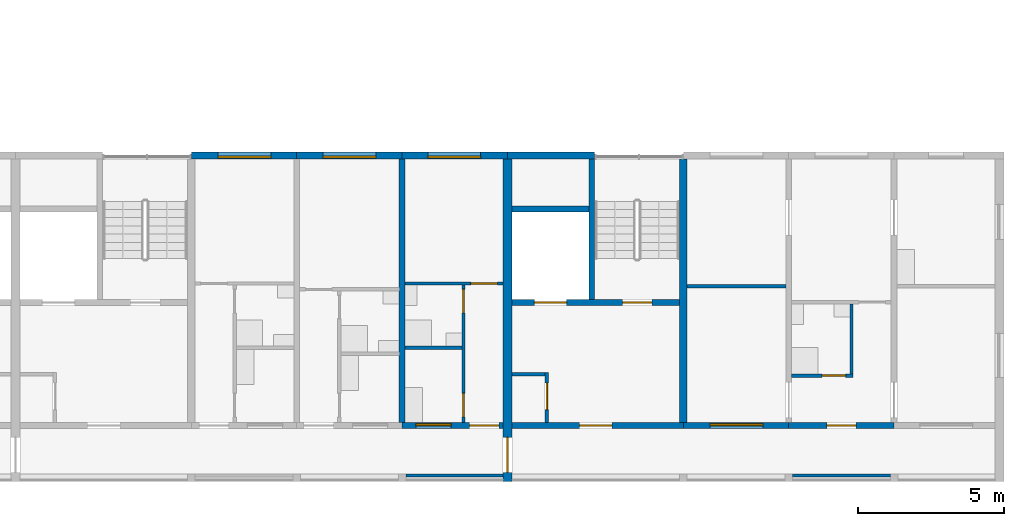
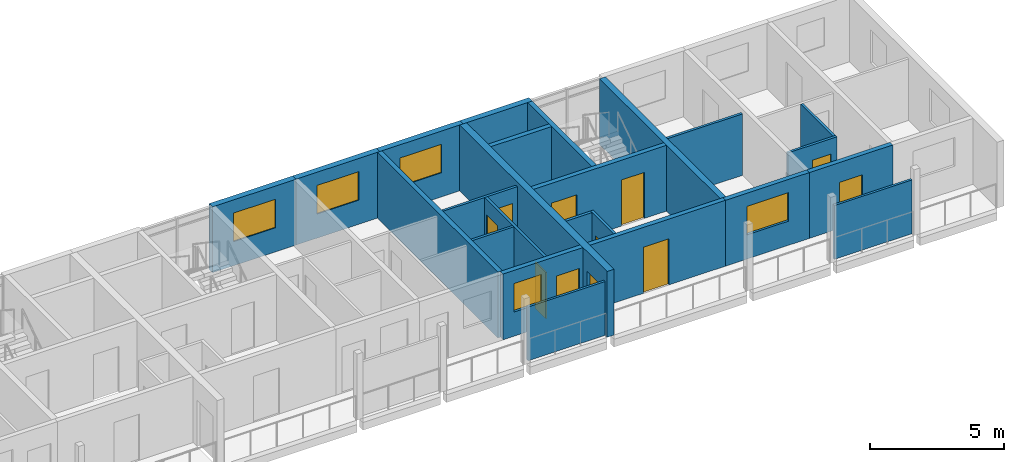
# One storey, part 47 of 78: 24 walls, 11 doors, 5 windows, 16 openings.
"""IFC4 building model written with IfcOpenShell, lengths in metres."""

from ifc_helpers import new_model, si_unit, direction, frame, frame_2d, origin, place, context, subcontext, project, spatial, rectangle, extrude, material, layer, layer_set, type_object, element, fill, save


model = new_model("IFC4")

# Units and contexts
model_context = context("Model", 3, precision=1e-05, world=origin(), true_north=direction((0.0, 1.0)))
body_context = subcontext(model_context, "Body", "Model", "MODEL_VIEW")
ifc_project = project(units=[si_unit("LENGTHUNIT", "METRE"), si_unit("AREAUNIT", "SQUARE_METRE"), si_unit("VOLUMEUNIT", "CUBIC_METRE"), si_unit("PLANEANGLEUNIT", "RADIAN"), si_unit("MASSUNIT", "GRAM", prefix="KILO")], contexts=[model_context])

# Site, building, storey
site_placement = place(None, origin())
site = spatial("IfcSite", under=ifc_project, at=site_placement, CompositionType="ELEMENT")
building_placement = place(site_placement, origin())
building = spatial("IfcBuilding", under=site, at=building_placement, Name="Ridgestep Commons", CompositionType="ELEMENT")
storey_placement = place(building_placement, frame((0.0, 0.0, 30.0)))
storey = spatial("IfcBuildingStorey", under=building, at=storey_placement, Name="L10", CompositionType="ELEMENT", Elevation=30.0)

# Wall
ifc_material_1 = material(Name="Concrete C30/37", Category="concrete")
ifc_layer_1 = layer(ifc_material_1, 0.25)
ifc_layer_set_1 = layer_set([ifc_layer_1], Name="Core cross wall 250")
wall_type_1 = type_object("IfcWallType", Name="Core cross wall 250", PredefinedType="SHEAR", material=ifc_layer_set_1)
wall_1_placement = place(storey_placement, frame((236.800048828125, 13.75, 0.0), z_axis=(0.0, 0.0, 1.0), x_axis=(0.0, 1.0, 0.0)))
element("IfcWall", 1, at=wall_1_placement, inside=storey, type_object=wall_type_1, Name="Cross wall D-10-2368", PredefinedType="SHEAR", context=body_context, shape_type="SweptSolid", body=[
    extrude(rectangle(XDim=9.0, YDim=0.25, at=frame_2d((4.5, 0.0))), origin(), (0.0, 0.0, 1.0), 3.0),
])

# Wall, opening, door
ifc_material_2 = material(Name="Concrete C30/37", Category="concrete")
ifc_layer_2 = layer(ifc_material_2, 0.199951171875)
ifc_layer_set_2 = layer_set([ifc_layer_2], Name="Core south wall 200")
wall_type_2 = type_object("IfcWallType", Name="Core south wall 200", PredefinedType="SHEAR", material=ifc_layer_set_2)
wall_2_placement = place(storey_placement, frame((230.949951171875, 13.64990234375, 0.0), z_axis=(0.0, 0.0, 1.0), x_axis=(1.0, 0.0, 0.0)))
wall_2 = element("IfcWall", 2, at=wall_2_placement, inside=storey, type_object=wall_type_2, Name="Core south wall D6C L10", PredefinedType="SHEAR", context=body_context, shape_type="SweptSolid", body=[
    extrude(rectangle(XDim=5.85009765625, YDim=0.199951171875, at=frame_2d((2.925048828125, 0.0))), origin(), (0.0, 0.0, 1.0), 3.0),
])
opening_1_placement = place(wall_2_placement, frame((2.3125, 0.0, 0.0)))
opening_1 = element("IfcOpeningElement", 3, at=opening_1_placement, cuts=wall_2, Name="Opening D6C/10/1", PredefinedType="OPENING", context=body_context, shape_type="SweptSolid", body=[
    extrude(rectangle(XDim=1.10009765625, YDim=2.10009765625, at=frame_2d((0.550048828125, 1.050048828125))), frame((0.0, 0.10986328125, 0.0), z_axis=(0.0, -1.0, 0.0), x_axis=(1.0, 0.0, 0.0)), (0.0, 0.0, 1.0), 0.219970703125),
])
ifc_material_3 = material(Name="Steel fire door", Category="steel")
door_type_1 = type_object("IfcDoorType", Name="Lobby door 1100 x 2100 FD60", OperationType="NOTDEFINED", PredefinedType="DOOR", material=ifc_material_3)
door_1_placement = place(opening_1_placement, origin())
door_1 = element("IfcDoor", 4, at=door_1_placement, inside=storey, type_object=door_type_1, Name="Lobby door D6C/10/1", OperationType="SINGLE_SWING_LEFT", OverallHeight=2.10009765625, OverallWidth=1.10009765625, PredefinedType="DOOR", context=body_context, shape_type="SweptSolid", body=[
    extrude(rectangle(XDim=1.10009765625, YDim=2.10009765625, at=frame_2d((0.550048828125, 1.050048828125))), frame((0.0, 0.02490234375, 0.0), z_axis=(0.0, -1.0, 0.0), x_axis=(1.0, 0.0, 0.0)), (0.0, 0.0, 1.0), 0.050048828125),
])
fill(opening_1, door_1)

ifc_material_4 = material(Name="Concrete C30/37", Category="concrete")
ifc_layer_3 = layer(ifc_material_4, 0.1201171875)
ifc_layer_set_3 = layer_set([ifc_layer_3], Name="Core wall 120")
wall_type_3 = type_object("IfcWallType", Name="Core wall 120", PredefinedType="SHEAR", material=ifc_layer_set_3)
wall_3_placement = place(storey_placement, frame((232.139892578125, 13.75, 0.0), z_axis=(0.0, 0.0, 1.0), x_axis=(0.0, 1.0, 0.0)))
wall_3 = element("IfcWall", 5, at=wall_3_placement, inside=storey, type_object=wall_type_3, Name="Core riser w wall D6C L10", PredefinedType="SHEAR", context=body_context, shape_type="SweptSolid", body=[
    extrude(rectangle(XDim=1.719970703125, YDim=0.1201171875, at=frame_2d((0.85986328125, 0.0))), origin(), (0.0, 0.0, 1.0), 3.0),
])
opening_2_placement = place(wall_3_placement, frame((0.449951171875, 0.0, 0.0)))
opening_2 = element("IfcOpeningElement", 6, at=opening_2_placement, cuts=wall_3, Name="Opening D6C/10/4", PredefinedType="OPENING", context=body_context, shape_type="SweptSolid", body=[
    extrude(rectangle(XDim=0.89990234375, YDim=2.10009765625, at=frame_2d((0.449951171875, 1.050048828125))), frame((0.0, 0.070068359375, 0.0), z_axis=(0.0, -1.0, 0.0), x_axis=(1.0, 0.0, 0.0)), (0.0, 0.0, 1.0), 0.14013671875),
])
ifc_material_5 = material(Name="Steel fire door", Category="steel")
door_type_2 = type_object("IfcDoorType", Name="Riser door 900 x 2100 FD60", OperationType="NOTDEFINED", PredefinedType="DOOR", material=ifc_material_5)
door_2_placement = place(opening_2_placement, origin())
door_2 = element("IfcDoor", 7, at=door_2_placement, inside=storey, type_object=door_type_2, Name="Riser door D6C/10/4", OperationType="SINGLE_SWING_RIGHT", OverallHeight=2.10009765625, OverallWidth=0.89990234375, PredefinedType="DOOR", context=body_context, shape_type="SweptSolid", body=[
    extrude(rectangle(XDim=0.89990234375, YDim=2.10009765625, at=frame_2d((0.449951171875, 1.050048828125))), frame((0.0, 0.02490234375, 0.0), z_axis=(0.0, -1.0, 0.0), x_axis=(1.0, 0.0, 0.0)), (0.0, 0.0, 1.0), 0.050048828125),
])
fill(opening_2, door_2)

# Wall
wall_4_placement = place(storey_placement, frame((230.949951171875, 15.409912109375, 0.0), z_axis=(0.0, 0.0, 1.0), x_axis=(1.0, 0.0, 0.0)))
element("IfcWall", 8, at=wall_4_placement, inside=storey, type_object=wall_type_3, Name="Core riser n wall D6C L10", PredefinedType="SHEAR", context=body_context, shape_type="SweptSolid", body=[
    extrude(rectangle(XDim=1.130126953125, YDim=0.1201171875, at=frame_2d((0.56494140625, 0.0))), origin(), (0.0, 0.0, 1.0), 3.0),
])

# Wall, openings, doors
ifc_material_6 = material(Name="Concrete C30/37", Category="concrete")
ifc_layer_4 = layer(ifc_material_6, 0.199951171875)
ifc_layer_set_4 = layer_set([ifc_layer_4], Name="Core wall 200")
wall_type_4 = type_object("IfcWallType", Name="Core wall 200", PredefinedType="SHEAR", material=ifc_layer_set_4)
wall_5_placement = place(storey_placement, frame((230.949951171875, 17.85009765625, 0.0), z_axis=(0.0, 0.0, 1.0), x_axis=(1.0, 0.0, 0.0)))
wall_5 = element("IfcWall", 9, at=wall_5_placement, inside=storey, type_object=wall_type_4, Name="Core lobby wall D6C L10", PredefinedType="SHEAR", context=body_context, shape_type="SweptSolid", body=[
    extrude(rectangle(XDim=5.72509765625, YDim=0.199951171875, at=frame_2d((2.862548828125, 0.0))), origin(), (0.0, 0.0, 1.0), 3.0),
])
opening_3_placement = place(wall_5_placement, frame((3.77490234375, 0.0, 0.0)))
opening_3 = element("IfcOpeningElement", 10, at=opening_3_placement, cuts=wall_5, Name="Opening D6C/10/2", PredefinedType="OPENING", context=body_context, shape_type="SweptSolid", body=[
    extrude(rectangle(XDim=1.0, YDim=2.10009765625, at=frame_2d((0.5, 1.050048828125))), frame((0.0, 0.10986328125, 0.0), z_axis=(0.0, -1.0, 0.0), x_axis=(1.0, 0.0, 0.0)), (0.0, 0.0, 1.0), 0.219970703125),
])
opening_4_placement = place(wall_5_placement, frame((0.762451171875, 0.0, 0.0)))
opening_4 = element("IfcOpeningElement", 11, at=opening_4_placement, cuts=wall_5, Name="Opening D6C/10/3", PredefinedType="OPENING", context=body_context, shape_type="SweptSolid", body=[
    extrude(rectangle(XDim=1.10009765625, YDim=2.10009765625, at=frame_2d((0.550048828125, 1.050048828125))), frame((0.0, 0.10986328125, 0.0), z_axis=(0.0, -1.0, 0.0), x_axis=(1.0, 0.0, 0.0)), (0.0, 0.0, 1.0), 0.219970703125),
])
ifc_material_7 = material(Name="Stainless steel", Category="steel")
door_type_3 = type_object("IfcDoorType", Name="Lift landing door 1100 x 2100 FD60", OperationType="DOUBLE_DOOR_SLIDING", PredefinedType="DOOR", material=ifc_material_7)
door_3_placement = place(opening_4_placement, origin())
door_3 = element("IfcDoor", 12, at=door_3_placement, inside=storey, type_object=door_type_3, Name="Landing door LD D6C L10", OperationType="DOUBLE_DOOR_SLIDING", OverallHeight=2.10009765625, OverallWidth=1.10009765625, PredefinedType="DOOR", context=body_context, shape_type="SweptSolid", body=[
    extrude(rectangle(XDim=1.10009765625, YDim=2.10009765625, at=frame_2d((0.550048828125, 1.050048828125))), frame((0.0, 0.02490234375, 0.0), z_axis=(0.0, -1.0, 0.0), x_axis=(1.0, 0.0, 0.0)), (0.0, 0.0, 1.0), 0.050048828125),
])
fill(opening_4, door_3)
ifc_material_8 = material(Name="Steel fire door", Category="steel")
door_type_4 = type_object("IfcDoorType", Name="Stair door 1000 x 2100 FD60", OperationType="NOTDEFINED", PredefinedType="DOOR", material=ifc_material_8)
door_4_placement = place(opening_3_placement, origin())
door_4 = element("IfcDoor", 13, at=door_4_placement, inside=storey, type_object=door_type_4, Name="Stair door D6C/10/2", OperationType="SINGLE_SWING_RIGHT", OverallHeight=2.10009765625, OverallWidth=1.0, PredefinedType="DOOR", context=body_context, shape_type="SweptSolid", body=[
    extrude(rectangle(XDim=1.0, YDim=2.10009765625, at=frame_2d((0.5, 1.050048828125))), frame((0.0, 0.02490234375, 0.0), z_axis=(0.0, -1.0, 0.0), x_axis=(1.0, 0.0, 0.0)), (0.0, 0.0, 1.0), 0.050048828125),
])
fill(opening_3, door_4)

# Walls
wall_6_placement = place(storey_placement, frame((233.675048828125, 17.949951171875, 0.0), z_axis=(0.0, 0.0, 1.0), x_axis=(0.0, 1.0, 0.0)))
element("IfcWall", 14, at=wall_6_placement, inside=storey, type_object=wall_type_4, Name="Core stair wall D6C L10", PredefinedType="SHEAR", context=body_context, shape_type="SweptSolid", body=[
    extrude(rectangle(XDim=4.800048828125, YDim=0.199951171875, at=frame_2d((2.39990234375, 0.0))), origin(), (0.0, 0.0, 1.0), 3.0),
])
wall_7_placement = place(storey_placement, frame((230.949951171875, 21.050048828125, 0.0), z_axis=(0.0, 0.0, 1.0), x_axis=(1.0, 0.0, 0.0)))
element("IfcWall", 15, at=wall_7_placement, inside=storey, type_object=wall_type_4, Name="Core duct wall D6C L10", PredefinedType="SHEAR", context=body_context, shape_type="SweptSolid", body=[
    extrude(rectangle(XDim=2.625, YDim=0.199951171875, at=frame_2d((1.3125, 0.0))), origin(), (0.0, 0.0, 1.0), 3.0),
])
ifc_material_9 = material(Name="Precast concrete C40/50", Category="concrete")
ifc_layer_5 = layer(ifc_material_9, 0.199951171875)
ifc_layer_set_5 = layer_set([ifc_layer_5], Name="Cross wall 200")
wall_type_5 = type_object("IfcWallType", Name="Cross wall 200", PredefinedType="SHEAR", material=ifc_layer_set_5)
wall_8_placement = place(storey_placement, frame((227.199951171875, 13.75, 0.0), z_axis=(0.0, 0.0, 1.0), x_axis=(0.0, 1.0, 0.0)))
element("IfcWall", 16, at=wall_8_placement, inside=storey, type_object=wall_type_5, Name="Cross wall D-10-2272", PredefinedType="SHEAR", context=body_context, shape_type="SweptSolid", body=[
    extrude(rectangle(XDim=9.0, YDim=0.199951171875, at=frame_2d((4.5, 0.0))), origin(), (0.0, 0.0, 1.0), 3.0),
])

# Wall, opening, door
ifc_material_10 = material(Name="Precast concrete C40/50", Category="concrete")
ifc_layer_6 = layer(ifc_material_10, 0.300048828125)
ifc_layer_set_6 = layer_set([ifc_layer_6], Name="Division wall 300")
wall_type_6 = type_object("IfcWallType", Name="Division wall 300", PredefinedType="SHEAR", material=ifc_layer_set_6)
wall_9_placement = place(storey_placement, frame((230.800048828125, 11.75, 0.0), z_axis=(0.0, 0.0, 1.0), x_axis=(0.0, 1.0, 0.0)))
wall_9 = element("IfcWall", 17, at=wall_9_placement, inside=storey, type_object=wall_type_6, Name="Cross wall D-10-2308", PredefinedType="SHEAR", context=body_context, shape_type="SweptSolid", body=[
    extrude(rectangle(XDim=11.0, YDim=0.300048828125, at=frame_2d((5.5, 0.0))), origin(), (0.0, 0.0, 1.0), 3.0),
])
opening_5_placement = place(wall_9_placement, frame((0.300048828125, 0.0, 0.0)))
opening_5 = element("IfcOpeningElement", 18, at=opening_5_placement, cuts=wall_9, Name="Opening D/10/G2308", PredefinedType="OPENING", context=body_context, shape_type="SweptSolid", body=[
    extrude(rectangle(XDim=1.199951171875, YDim=2.10009765625, at=frame_2d((0.60009765625, 1.050048828125))), frame((0.0, 0.159912109375, 0.0), z_axis=(0.0, -1.0, 0.0), x_axis=(1.0, 0.0, 0.0)), (0.0, 0.0, 1.0), 0.320068359375),
])
ifc_material_11 = material(Name="Steel fire door", Category="steel")
door_type_5 = type_object("IfcDoorType", Name="Division fire door 1200 x 2100 EI 240", OperationType="DOUBLE_DOOR_SINGLE_SWING", PredefinedType="DOOR", material=ifc_material_11)
door_5_placement = place(opening_5_placement, origin())
door_5 = element("IfcDoor", 19, at=door_5_placement, inside=storey, type_object=door_type_5, Name="Division fire door D/10/G2308", OperationType="DOUBLE_DOOR_SINGLE_SWING", OverallHeight=2.10009765625, OverallWidth=1.199951171875, PredefinedType="DOOR", context=body_context, shape_type="SweptSolid", body=[
    extrude(rectangle(XDim=1.199951171875, YDim=2.10009765625, at=frame_2d((0.60009765625, 1.050048828125))), frame((0.0, 0.02490234375, 0.0), z_axis=(0.0, -1.0, 0.0), x_axis=(1.0, 0.0, 0.0)), (0.0, 0.0, 1.0), 0.050048828125),
])
fill(opening_5, door_5)

# Wall, opening, window
ifc_material_12 = material(Name="Precast concrete C40/50", Category="concrete")
ifc_layer_7 = layer(ifc_material_12, 0.25)
ifc_layer_set_7 = layer_set([ifc_layer_7], Name="North facade panel 250")
wall_type_7 = type_object("IfcWallType", Name="North facade panel 250", PredefinedType="SOLIDWALL", material=ifc_layer_set_7)
wall_10_placement = place(storey_placement, frame((220.0, 22.875, 0.0), z_axis=(0.0, 0.0, 1.0), x_axis=(1.0, 0.0, 0.0)))
wall_10 = element("IfcWall", 20, at=wall_10_placement, inside=storey, type_object=wall_type_7, Name="North panel D5T3 L10", PredefinedType="SOLIDWALL", context=body_context, shape_type="SweptSolid", body=[
    extrude(rectangle(XDim=3.60009765625, YDim=0.25, at=frame_2d((1.800048828125, 0.0))), origin(), (0.0, 0.0, 1.0), 3.0),
])
opening_6_placement = place(wall_10_placement, frame((0.91259765625, 0.0, 1.10009765625)))
opening_6 = element("IfcOpeningElement", 21, at=opening_6_placement, cuts=wall_10, Name="Opening W18", PredefinedType="OPENING", context=body_context, shape_type="SweptSolid", body=[
    extrude(rectangle(XDim=1.800048828125, YDim=1.300048828125, at=frame_2d((0.89990234375, 0.64990234375))), frame((0.0, 0.135009765625, 0.0), z_axis=(0.0, -1.0, 0.0), x_axis=(1.0, 0.0, 0.0)), (0.0, 0.0, 1.0), 0.27001953125),
])
ifc_material_13 = material(Name="Aluminium 6063-T6 and glass", Category="aluminium")
window_type_1 = type_object("IfcWindowType", Name="Flat window 1800 x 1300", PartitioningType="DOUBLE_PANEL_VERTICAL", PredefinedType="WINDOW", material=ifc_material_13)
window_1_placement = place(opening_6_placement, origin())
window_1 = element("IfcWindow", 22, at=window_1_placement, inside=storey, type_object=window_type_1, Name="Window D5-10c 2", OverallHeight=1.300048828125, OverallWidth=1.800048828125, PartitioningType="SINGLE_PANEL", PredefinedType="WINDOW", context=body_context, shape_type="SweptSolid", body=[
    extrude(rectangle(XDim=1.800048828125, YDim=1.300048828125, at=frame_2d((0.89990234375, 0.64990234375))), frame((0.0, -0.02490234375, 0.0), z_axis=(0.0, -1.0, 0.0), x_axis=(1.0, 0.0, 0.0)), (0.0, 0.0, 1.0), 0.06005859375),
])
fill(opening_6, window_1)

wall_11_placement = place(storey_placement, frame((223.60009765625, 22.875, 0.0), z_axis=(0.0, 0.0, 1.0), x_axis=(1.0, 0.0, 0.0)))
wall_11 = element("IfcWall", 23, at=wall_11_placement, inside=storey, type_object=wall_type_7, Name="North panel D5T2 L10", PredefinedType="SOLIDWALL", context=body_context, shape_type="SweptSolid", body=[
    extrude(rectangle(XDim=3.599853515625, YDim=0.25, at=frame_2d((1.7998046875, 0.0))), origin(), (0.0, 0.0, 1.0), 3.0),
])
opening_7_placement = place(wall_11_placement, frame((0.89990234375, 0.0, 1.10009765625)))
opening_7 = element("IfcOpeningElement", 24, at=opening_7_placement, cuts=wall_11, Name="Opening W18", PredefinedType="OPENING", context=body_context, shape_type="SweptSolid", body=[
    extrude(rectangle(XDim=1.800048828125, YDim=1.300048828125, at=frame_2d((0.89990234375, 0.64990234375))), frame((0.0, 0.135009765625, 0.0), z_axis=(0.0, -1.0, 0.0), x_axis=(1.0, 0.0, 0.0)), (0.0, 0.0, 1.0), 0.27001953125),
])
window_2_placement = place(opening_7_placement, origin())
window_2 = element("IfcWindow", 25, at=window_2_placement, inside=storey, type_object=window_type_1, Name="Window D5-10b 2", OverallHeight=1.300048828125, OverallWidth=1.800048828125, PartitioningType="SINGLE_PANEL", PredefinedType="WINDOW", context=body_context, shape_type="SweptSolid", body=[
    extrude(rectangle(XDim=1.800048828125, YDim=1.300048828125, at=frame_2d((0.89990234375, 0.64990234375))), frame((0.0, -0.02490234375, 0.0), z_axis=(0.0, -1.0, 0.0), x_axis=(1.0, 0.0, 0.0)), (0.0, 0.0, 1.0), 0.06005859375),
])
fill(opening_7, window_2)

wall_12_placement = place(storey_placement, frame((227.199951171875, 22.875, 0.0), z_axis=(0.0, 0.0, 1.0), x_axis=(1.0, 0.0, 0.0)))
wall_12 = element("IfcWall", 26, at=wall_12_placement, inside=storey, type_object=wall_type_7, Name="North panel D5T1 L10", PredefinedType="SOLIDWALL", context=body_context, shape_type="SweptSolid", body=[
    extrude(rectangle(XDim=3.60009765625, YDim=0.25, at=frame_2d((1.800048828125, 0.0))), origin(), (0.0, 0.0, 1.0), 3.0),
])
opening_8_placement = place(wall_12_placement, frame((0.875, 0.0, 1.10009765625)))
opening_8 = element("IfcOpeningElement", 27, at=opening_8_placement, cuts=wall_12, Name="Opening W18", PredefinedType="OPENING", context=body_context, shape_type="SweptSolid", body=[
    extrude(rectangle(XDim=1.800048828125, YDim=1.300048828125, at=frame_2d((0.89990234375, 0.64990234375))), frame((0.0, 0.135009765625, 0.0), z_axis=(0.0, -1.0, 0.0), x_axis=(1.0, 0.0, 0.0)), (0.0, 0.0, 1.0), 0.27001953125),
])
window_3_placement = place(opening_8_placement, origin())
window_3 = element("IfcWindow", 28, at=window_3_placement, inside=storey, type_object=window_type_1, Name="Window D5-10a 2", OverallHeight=1.300048828125, OverallWidth=1.800048828125, PartitioningType="SINGLE_PANEL", PredefinedType="WINDOW", context=body_context, shape_type="SweptSolid", body=[
    extrude(rectangle(XDim=1.800048828125, YDim=1.300048828125, at=frame_2d((0.89990234375, 0.64990234375))), frame((0.0, -0.02490234375, 0.0), z_axis=(0.0, -1.0, 0.0), x_axis=(1.0, 0.0, 0.0)), (0.0, 0.0, 1.0), 0.06005859375),
])
fill(opening_8, window_3)

# Walls
wall_13_placement = place(storey_placement, frame((230.800048828125, 22.875, 0.0), z_axis=(0.0, 0.0, 1.0), x_axis=(1.0, 0.0, 0.0)))
element("IfcWall", 29, at=wall_13_placement, inside=storey, type_object=wall_type_7, Name="North panel D6C L10", PredefinedType="SOLIDWALL", context=body_context, shape_type="SweptSolid", body=[
    extrude(rectangle(XDim=2.974853515625, YDim=0.25, at=frame_2d((1.4873046875, 0.0))), origin(), (0.0, 0.0, 1.0), 3.0),
])
ifc_material_14 = material(Name="Common brick 110 mm", Category="masonry")
ifc_layer_8 = layer(ifc_material_14, 0.110107421875)
ifc_layer_set_8 = layer_set([ifc_layer_8], Name="Partition 110")
wall_type_8 = type_object("IfcWallType", Name="Partition 110", PredefinedType="PARTITIONING", material=ifc_layer_set_8)
wall_14_placement = place(storey_placement, frame((227.300048828125, 16.304931640625, 0.0), z_axis=(0.0, 0.0, 1.0), x_axis=(1.0, 0.0, 0.0)))
element("IfcWall", 30, at=wall_14_placement, inside=storey, type_object=wall_type_8, Name="Partition D5-10a", PredefinedType="PARTITIONING", context=body_context, shape_type="SweptSolid", body=[
    extrude(rectangle(XDim=1.93994140625, YDim=0.110107421875, at=frame_2d((0.969970703125, 0.0))), origin(), (0.0, 0.0, 1.0), 2.800048828125),
])

# Wall, openings, doors
wall_15_placement = place(storey_placement, frame((229.294921875, 13.75, 0.0), z_axis=(0.0, 0.0, 1.0), x_axis=(0.0, 1.0, 0.0)))
wall_15 = element("IfcWall", 31, at=wall_15_placement, inside=storey, type_object=wall_type_8, Name="Partition D5-10a", PredefinedType="PARTITIONING", context=body_context, shape_type="SweptSolid", body=[
    extrude(rectangle(XDim=4.699951171875, YDim=0.110107421875, at=frame_2d((2.35009765625, 0.0))), origin(), (0.0, 0.0, 1.0), 2.800048828125),
])
opening_9_placement = place(wall_15_placement, frame((0.199951171875, 0.0, 0.0)))
opening_9 = element("IfcOpeningElement", 32, at=opening_9_placement, cuts=wall_15, Name="Opening D5-10a/2", PredefinedType="OPENING", context=body_context, shape_type="SweptSolid", body=[
    extrude(rectangle(XDim=0.800048828125, YDim=2.10009765625, at=frame_2d((0.39990234375, 1.050048828125))), frame((0.0, 0.06494140625, 0.0), z_axis=(0.0, -1.0, 0.0), x_axis=(1.0, 0.0, 0.0)), (0.0, 0.0, 1.0), 0.130126953125),
])
opening_10_placement = place(wall_15_placement, frame((3.75, 0.0, 0.0)))
opening_10 = element("IfcOpeningElement", 33, at=opening_10_placement, cuts=wall_15, Name="Opening D5-10a/3", PredefinedType="OPENING", context=body_context, shape_type="SweptSolid", body=[
    extrude(rectangle(XDim=0.800048828125, YDim=2.10009765625, at=frame_2d((0.39990234375, 1.050048828125))), frame((0.0, 0.06494140625, 0.0), z_axis=(0.0, -1.0, 0.0), x_axis=(1.0, 0.0, 0.0)), (0.0, 0.0, 1.0), 0.130126953125),
])
ifc_material_15 = material(Name="Timber door leaf", Category="wood")
door_type_6 = type_object("IfcDoorType", Name="Internal door 800 x 2100", OperationType="NOTDEFINED", PredefinedType="DOOR", material=ifc_material_15)
door_6_placement = place(opening_9_placement, origin())
door_6 = element("IfcDoor", 34, at=door_6_placement, inside=storey, type_object=door_type_6, Name="Internal door D5-10a/2", OperationType="SINGLE_SWING_LEFT", OverallHeight=2.10009765625, OverallWidth=0.800048828125, PredefinedType="DOOR", context=body_context, shape_type="SweptSolid", body=[
    extrude(rectangle(XDim=0.800048828125, YDim=2.10009765625, at=frame_2d((0.39990234375, 1.050048828125))), frame((0.0, 0.02490234375, 0.0), z_axis=(0.0, -1.0, 0.0), x_axis=(1.0, 0.0, 0.0)), (0.0, 0.0, 1.0), 0.050048828125),
])
fill(opening_9, door_6)
door_7_placement = place(opening_10_placement, origin())
door_7 = element("IfcDoor", 35, at=door_7_placement, inside=storey, type_object=door_type_6, Name="Internal door D5-10a/3", OperationType="SINGLE_SWING_RIGHT", OverallHeight=2.10009765625, OverallWidth=0.800048828125, PredefinedType="DOOR", context=body_context, shape_type="SweptSolid", body=[
    extrude(rectangle(XDim=0.800048828125, YDim=2.10009765625, at=frame_2d((0.39990234375, 1.050048828125))), frame((0.0, 0.02490234375, 0.0), z_axis=(0.0, -1.0, 0.0), x_axis=(1.0, 0.0, 0.0)), (0.0, 0.0, 1.0), 0.050048828125),
])
fill(opening_10, door_7)

# Wall, opening, door
wall_16_placement = place(storey_placement, frame((227.300048828125, 18.5048828125, 0.0), z_axis=(0.0, 0.0, 1.0), x_axis=(1.0, 0.0, 0.0)))
wall_16 = element("IfcWall", 36, at=wall_16_placement, inside=storey, type_object=wall_type_8, Name="Partition D5-10a", PredefinedType="PARTITIONING", context=body_context, shape_type="SweptSolid", body=[
    extrude(rectangle(XDim=3.349853515625, YDim=0.110107421875, at=frame_2d((1.6748046875, 0.0))), origin(), (0.0, 0.0, 1.0), 2.800048828125),
])
opening_11_placement = place(wall_16_placement, frame((2.25, 0.0, 0.0)))
opening_11 = element("IfcOpeningElement", 37, at=opening_11_placement, cuts=wall_16, Name="Opening D5-10a/4", PredefinedType="OPENING", context=body_context, shape_type="SweptSolid", body=[
    extrude(rectangle(XDim=0.89990234375, YDim=2.10009765625, at=frame_2d((0.449951171875, 1.050048828125))), frame((0.0, 0.06494140625, 0.0), z_axis=(0.0, -1.0, 0.0), x_axis=(1.0, 0.0, 0.0)), (0.0, 0.0, 1.0), 0.130126953125),
])
ifc_material_16 = material(Name="Timber door leaf", Category="wood")
door_type_7 = type_object("IfcDoorType", Name="Internal door 900 x 2100", OperationType="NOTDEFINED", PredefinedType="DOOR", material=ifc_material_16)
door_8_placement = place(opening_11_placement, origin())
door_8 = element("IfcDoor", 38, at=door_8_placement, inside=storey, type_object=door_type_7, Name="Internal door D5-10a/4", OperationType="SINGLE_SWING_LEFT", OverallHeight=2.10009765625, OverallWidth=0.89990234375, PredefinedType="DOOR", context=body_context, shape_type="SweptSolid", body=[
    extrude(rectangle(XDim=0.89990234375, YDim=2.10009765625, at=frame_2d((0.449951171875, 1.050048828125))), frame((0.0, 0.02490234375, 0.0), z_axis=(0.0, -1.0, 0.0), x_axis=(1.0, 0.0, 0.0)), (0.0, 0.0, 1.0), 0.050048828125),
])
fill(opening_11, door_8)

wall_17_placement = place(storey_placement, frame((240.5, 15.35498046875, 0.0), z_axis=(0.0, 0.0, 1.0), x_axis=(1.0, 0.0, 0.0)))
wall_17 = element("IfcWall", 39, at=wall_17_placement, inside=storey, type_object=wall_type_8, Name="Partition D6-10a", PredefinedType="PARTITIONING", context=body_context, shape_type="SweptSolid", body=[
    extrude(rectangle(XDim=2.10009765625, YDim=0.110107421875, at=frame_2d((1.050048828125, 0.0))), origin(), (0.0, 0.0, 1.0), 2.800048828125),
])
opening_12_placement = place(wall_17_placement, frame((1.0400390625, 0.0, 0.0)))
opening_12 = element("IfcOpeningElement", 40, at=opening_12_placement, cuts=wall_17, Name="Opening D6-10a/2", PredefinedType="OPENING", context=body_context, shape_type="SweptSolid", body=[
    extrude(rectangle(XDim=0.800048828125, YDim=2.10009765625, at=frame_2d((0.39990234375, 1.050048828125))), frame((0.0, 0.06494140625, 0.0), z_axis=(0.0, -1.0, 0.0), x_axis=(1.0, 0.0, 0.0)), (0.0, 0.0, 1.0), 0.130126953125),
])
door_9_placement = place(opening_12_placement, origin())
door_9 = element("IfcDoor", 41, at=door_9_placement, inside=storey, type_object=door_type_6, Name="Internal door D6-10a/2", OperationType="SINGLE_SWING_RIGHT", OverallHeight=2.10009765625, OverallWidth=0.800048828125, PredefinedType="DOOR", context=body_context, shape_type="SweptSolid", body=[
    extrude(rectangle(XDim=0.800048828125, YDim=2.10009765625, at=frame_2d((0.39990234375, 1.050048828125))), frame((0.0, 0.02490234375, 0.0), z_axis=(0.0, -1.0, 0.0), x_axis=(1.0, 0.0, 0.0)), (0.0, 0.0, 1.0), 0.050048828125),
])
fill(opening_12, door_9)

# Walls
wall_18_placement = place(storey_placement, frame((242.544921875, 15.409912109375, 0.0), z_axis=(0.0, 0.0, 1.0), x_axis=(0.0, 1.0, 0.0)))
element("IfcWall", 42, at=wall_18_placement, inside=storey, type_object=wall_type_8, Name="Partition D6-10a", PredefinedType="PARTITIONING", context=body_context, shape_type="SweptSolid", body=[
    extrude(rectangle(XDim=2.400146484375, YDim=0.110107421875, at=frame_2d((1.2001953125, 0.0))), origin(), (0.0, 0.0, 1.0), 2.800048828125),
])
wall_19_placement = place(storey_placement, frame((236.925048828125, 18.405029296875, 0.0), z_axis=(0.0, 0.0, 1.0), x_axis=(1.0, 0.0, 0.0)))
element("IfcWall", 43, at=wall_19_placement, inside=storey, type_object=wall_type_8, Name="Partition D6-10a", PredefinedType="PARTITIONING", context=body_context, shape_type="SweptSolid", body=[
    extrude(rectangle(XDim=3.375, YDim=0.110107421875, at=frame_2d((1.6875, 0.0))), origin(), (0.0, 0.0, 1.0), 2.800048828125),
])
ifc_material_17 = material(Name="Precast concrete C30/37", Category="concrete")
ifc_layer_9 = layer(ifc_material_17, 0.10009765625)
ifc_layer_set_9 = layer_set([ifc_layer_9], Name="Perforated gallery screen 3325 x 2450 x 100")
wall_type_9 = type_object("IfcWallType", Name="Perforated gallery screen 3325 x 2450 x 100", PredefinedType="SOLIDWALL", material=ifc_layer_set_9)
wall_20_placement = place(storey_placement, frame((227.324951171875, 11.949951171875, 0.0), z_axis=(0.0, 0.0, 1.0), x_axis=(1.0, 0.0, 0.0)))
element("IfcWall", 44, at=wall_20_placement, inside=storey, type_object=wall_type_9, Name="Gallery screen D5T1 10", PredefinedType="SOLIDWALL", context=body_context, shape_type="SweptSolid", body=[
    extrude(rectangle(XDim=3.324951171875, YDim=0.10009765625, at=frame_2d((1.66259765625, 0.0))), origin(), (0.0, 0.0, 1.0), 2.449951171875),
])
ifc_material_18 = material(Name="Precast concrete C30/37", Category="concrete")
ifc_layer_10 = layer(ifc_material_18, 0.10009765625)
ifc_layer_set_10 = layer_set([ifc_layer_10], Name="Perforated gallery screen 3350 x 2450 x 100")
wall_type_10 = type_object("IfcWallType", Name="Perforated gallery screen 3350 x 2450 x 100", PredefinedType="SOLIDWALL", material=ifc_layer_set_10)
wall_21_placement = place(storey_placement, frame((240.52490234375, 11.949951171875, 0.0), z_axis=(0.0, 0.0, 1.0), x_axis=(1.0, 0.0, 0.0)))
element("IfcWall", 45, at=wall_21_placement, inside=storey, type_object=wall_type_10, Name="Gallery screen D6T2 10", PredefinedType="SOLIDWALL", context=body_context, shape_type="SweptSolid", body=[
    extrude(rectangle(XDim=3.35009765625, YDim=0.10009765625, at=frame_2d((1.675048828125, 0.0))), origin(), (0.0, 0.0, 1.0), 2.449951171875),
])

# Wall, openings, door, window
ifc_material_19 = material(Name="Precast concrete C40/50", Category="concrete")
ifc_layer_11 = layer(ifc_material_19, 0.199951171875)
ifc_layer_set_11 = layer_set([ifc_layer_11], Name="South facade panel 200")
wall_type_11 = type_object("IfcWallType", Name="South facade panel 200", PredefinedType="SOLIDWALL", material=ifc_layer_set_11)
wall_22_placement = place(storey_placement, frame((227.199951171875, 13.64990234375, 0.0), z_axis=(0.0, 0.0, 1.0), x_axis=(1.0, 0.0, 0.0)))
wall_22 = element("IfcWall", 46, at=wall_22_placement, inside=storey, type_object=wall_type_11, Name="South panel D5T1 L10", PredefinedType="SOLIDWALL", context=body_context, shape_type="SweptSolid", body=[
    extrude(rectangle(XDim=3.449951171875, YDim=0.199951171875, at=frame_2d((1.72509765625, 0.0))), origin(), (0.0, 0.0, 1.0), 3.0),
])
opening_13_placement = place(wall_22_placement, frame((0.469970703125, 0.0, 1.10009765625)))
opening_13 = element("IfcOpeningElement", 47, at=opening_13_placement, cuts=wall_22, Name="Opening W08", PredefinedType="OPENING", context=body_context, shape_type="SweptSolid", body=[
    extrude(rectangle(XDim=1.199951171875, YDim=1.300048828125, at=frame_2d((0.60009765625, 0.64990234375))), frame((0.0, 0.10986328125, 0.0), z_axis=(0.0, -1.0, 0.0), x_axis=(1.0, 0.0, 0.0)), (0.0, 0.0, 1.0), 0.219970703125),
])
opening_14_placement = place(wall_22_placement, frame((2.300048828125, 0.0, 0.0)))
opening_14 = element("IfcOpeningElement", 48, at=opening_14_placement, cuts=wall_22, Name="Opening D5-10a/1", PredefinedType="OPENING", context=body_context, shape_type="SweptSolid", body=[
    extrude(rectangle(XDim=1.0, YDim=2.10009765625, at=frame_2d((0.5, 1.050048828125))), frame((0.0, 0.10986328125, 0.0), z_axis=(0.0, -1.0, 0.0), x_axis=(1.0, 0.0, 0.0)), (0.0, 0.0, 1.0), 0.219970703125),
])
ifc_material_20 = material(Name="Timber door leaf", Category="wood")
door_type_8 = type_object("IfcDoorType", Name="Flat entrance door 1000 x 2100 FD30S", OperationType="NOTDEFINED", PredefinedType="DOOR", material=ifc_material_20)
door_10_placement = place(opening_14_placement, origin())
door_10 = element("IfcDoor", 49, at=door_10_placement, inside=storey, type_object=door_type_8, Name="Flat entrance door D5-10a/1", OperationType="SINGLE_SWING_RIGHT", OverallHeight=2.10009765625, OverallWidth=1.0, PredefinedType="DOOR", context=body_context, shape_type="SweptSolid", body=[
    extrude(rectangle(XDim=1.0, YDim=2.10009765625, at=frame_2d((0.5, 1.050048828125))), frame((0.0, 0.02490234375, 0.0), z_axis=(0.0, -1.0, 0.0), x_axis=(1.0, 0.0, 0.0)), (0.0, 0.0, 1.0), 0.050048828125),
])
fill(opening_14, door_10)
ifc_material_21 = material(Name="Aluminium 6063-T6 and glass", Category="aluminium")
window_type_2 = type_object("IfcWindowType", Name="Flat window 1200 x 1300", PartitioningType="SINGLE_PANEL", PredefinedType="WINDOW", material=ifc_material_21)
window_4_placement = place(opening_13_placement, origin())
window_4 = element("IfcWindow", 50, at=window_4_placement, inside=storey, type_object=window_type_2, Name="Window D5-10a 1", OverallHeight=1.300048828125, OverallWidth=1.199951171875, PartitioningType="SINGLE_PANEL", PredefinedType="WINDOW", context=body_context, shape_type="SweptSolid", body=[
    extrude(rectangle(XDim=1.199951171875, YDim=1.300048828125, at=frame_2d((0.60009765625, 0.64990234375))), frame((0.0, 0.06005859375, 0.0), z_axis=(0.0, -1.0, 0.0), x_axis=(1.0, 0.0, 0.0)), (0.0, 0.0, 1.0), 0.06005859375),
])
fill(opening_13, window_4)

# Wall, opening, window
wall_23_placement = place(storey_placement, frame((236.800048828125, 13.64990234375, 0.0), z_axis=(0.0, 0.0, 1.0), x_axis=(1.0, 0.0, 0.0)))
wall_23 = element("IfcWall", 51, at=wall_23_placement, inside=storey, type_object=wall_type_11, Name="South panel D6T3 L10", PredefinedType="SOLIDWALL", context=body_context, shape_type="SweptSolid", body=[
    extrude(rectangle(XDim=3.599853515625, YDim=0.199951171875, at=frame_2d((1.7998046875, 0.0))), origin(), (0.0, 0.0, 1.0), 3.0),
])
opening_15_placement = place(wall_23_placement, frame((0.91259765625, 0.0, 1.10009765625)))
opening_15 = element("IfcOpeningElement", 52, at=opening_15_placement, cuts=wall_23, Name="Opening W18", PredefinedType="OPENING", context=body_context, shape_type="SweptSolid", body=[
    extrude(rectangle(XDim=1.800048828125, YDim=1.300048828125, at=frame_2d((0.89990234375, 0.64990234375))), frame((0.0, 0.10986328125, 0.0), z_axis=(0.0, -1.0, 0.0), x_axis=(1.0, 0.0, 0.0)), (0.0, 0.0, 1.0), 0.219970703125),
])
window_5_placement = place(opening_15_placement, origin())
window_5 = element("IfcWindow", 53, at=window_5_placement, inside=storey, type_object=window_type_1, Name="Window D6-10a 1", OverallHeight=1.300048828125, OverallWidth=1.800048828125, PartitioningType="SINGLE_PANEL", PredefinedType="WINDOW", context=body_context, shape_type="SweptSolid", body=[
    extrude(rectangle(XDim=1.800048828125, YDim=1.300048828125, at=frame_2d((0.89990234375, 0.64990234375))), frame((0.0, 0.06005859375, 0.0), z_axis=(0.0, -1.0, 0.0), x_axis=(1.0, 0.0, 0.0)), (0.0, 0.0, 1.0), 0.06005859375),
])
fill(opening_15, window_5)

# Wall, opening, door
wall_24_placement = place(storey_placement, frame((240.39990234375, 13.64990234375, 0.0), z_axis=(0.0, 0.0, 1.0), x_axis=(1.0, 0.0, 0.0)))
wall_24 = element("IfcWall", 54, at=wall_24_placement, inside=storey, type_object=wall_type_11, Name="South panel D6T2 L10", PredefinedType="SOLIDWALL", context=body_context, shape_type="SweptSolid", body=[
    extrude(rectangle(XDim=3.60009765625, YDim=0.199951171875, at=frame_2d((1.800048828125, 0.0))), origin(), (0.0, 0.0, 1.0), 3.0),
])
opening_16_placement = place(wall_24_placement, frame((1.300048828125, 0.0, 0.0)))
opening_16 = element("IfcOpeningElement", 55, at=opening_16_placement, cuts=wall_24, Name="Opening D6-10a/1", PredefinedType="OPENING", context=body_context, shape_type="SweptSolid", body=[
    extrude(rectangle(XDim=1.0, YDim=2.10009765625, at=frame_2d((0.5, 1.050048828125))), frame((0.0, 0.10986328125, 0.0), z_axis=(0.0, -1.0, 0.0), x_axis=(1.0, 0.0, 0.0)), (0.0, 0.0, 1.0), 0.219970703125),
])
door_11_placement = place(opening_16_placement, origin())
door_11 = element("IfcDoor", 56, at=door_11_placement, inside=storey, type_object=door_type_8, Name="Flat entrance door D6-10a/1", OperationType="SINGLE_SWING_RIGHT", OverallHeight=2.10009765625, OverallWidth=1.0, PredefinedType="DOOR", context=body_context, shape_type="SweptSolid", body=[
    extrude(rectangle(XDim=1.0, YDim=2.10009765625, at=frame_2d((0.5, 1.050048828125))), frame((0.0, 0.02490234375, 0.0), z_axis=(0.0, -1.0, 0.0), x_axis=(1.0, 0.0, 0.0)), (0.0, 0.0, 1.0), 0.050048828125),
])
fill(opening_16, door_11)

save(model, "model.ifc")
